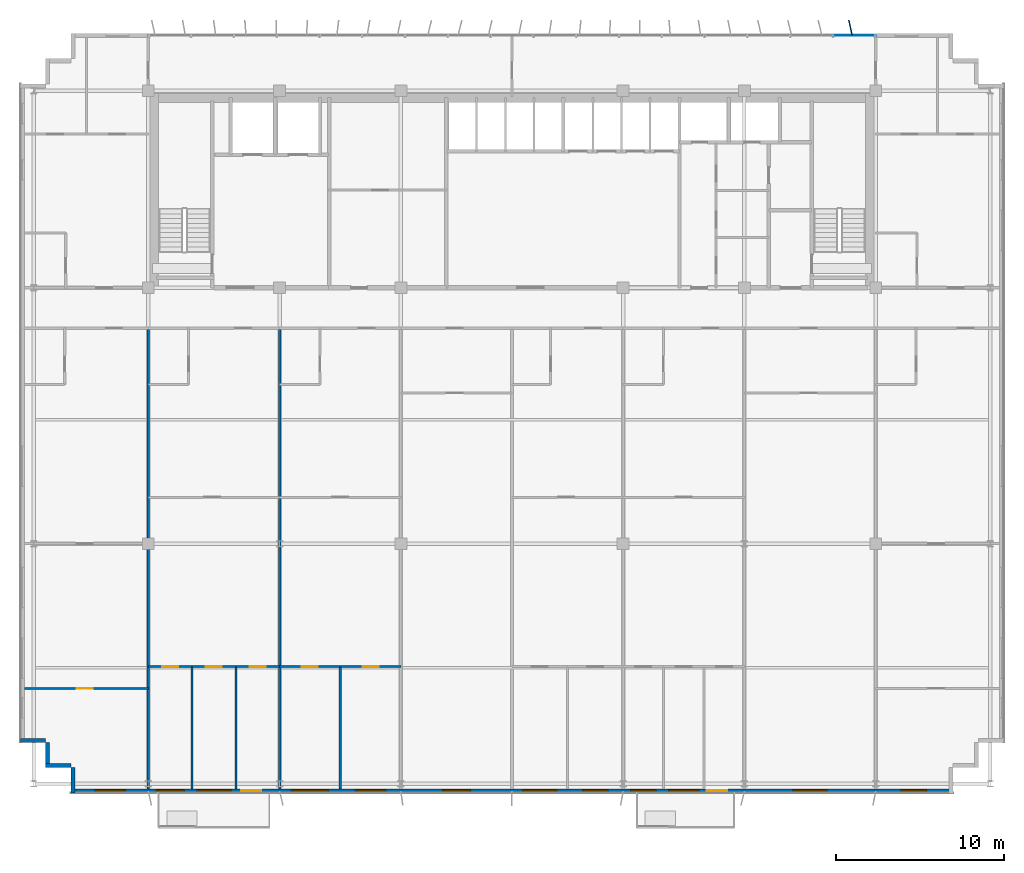
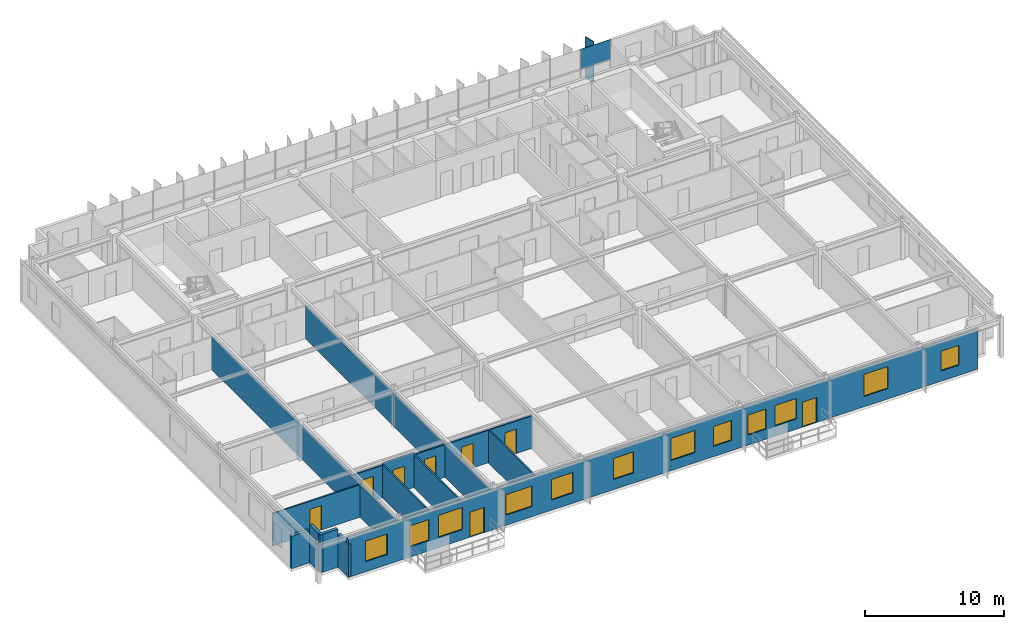
# One storey, part 16 of 23: 16 walls, 12 windows, 8 doors, 2 plates, 20 openings, 1 element without a shape of its own.
"""IFC4 building model written with IfcOpenShell, lengths in metres."""

import ifcopenshell
import ifcopenshell.guid

model = None  # the IFC model being written
_history = None  # IfcOwnerHistory: only IFC2X3 demands one
_inside = {}  # id of a spatial element -> (the spatial element, [elements in it])
_under = {}  # id of a project, library or spatial element -> (it, [spatial elements below it])
_declared = {}  # id of a project -> (the project, [libraries it declares])
_typed = {}  # id of a type object -> (the type object, [elements of that type])
_made_of = {}  # id of a material, layer set ... -> (it, [elements and type objects made of it])


def new_model(schema):
    """Start an empty IFC model of exactly this schema.

    Asked for "IFC4X3", IfcOpenShell would pick the latest addendum, in which some entities
    have other attributes; the version numbers below select the first issue.
    IFC2X3 requires an IfcOwnerHistory on every rooted entity: one is made here for all.
    """
    global model, _history
    if schema == "IFC4X3":
        model = ifcopenshell.file(schema_version=(4, 3, 0, 0))
    else:
        model = ifcopenshell.file(schema=schema)
    _inside.clear()
    _under.clear()
    _declared.clear()
    _typed.clear()
    _made_of.clear()
    _history = None
    if model.schema == "IFC2X3":
        org = make("IfcOrganization", Name="unknown")
        user = make(
            "IfcPersonAndOrganization",
            ThePerson=make("IfcPerson", FamilyName="unknown"),
            TheOrganization=org,
        )
        app = make(
            "IfcApplication",
            ApplicationDeveloper=org,
            Version="unknown",
            ApplicationFullName="unknown",
            ApplicationIdentifier="unknown",
        )
        _history = make(
            "IfcOwnerHistory",
            OwningUser=user,
            OwningApplication=app,
            ChangeAction="ADDED",
            CreationDate=0,
        )
    return model


def make(cls, **values):
    """One entity of the class cls with the attributes given. An attribute that is None is left unset."""
    return model.create_entity(
        cls, **{name: value for name, value in values.items() if value is not None}
    )


def rooted(cls, **values):
    """An entity with a GlobalId (a new one), such as an element, a storey or a relation."""
    return make(cls, GlobalId=ifcopenshell.guid.new(), OwnerHistory=_history, **values)


def si_unit(unit_type, name, prefix=None):
    """IfcSIUnit, for example si_unit("LENGTHUNIT", "METRE", prefix="MILLI")."""
    return make("IfcSIUnit", UnitType=unit_type, Prefix=prefix, Name=name)


def assignment(units):
    """IfcUnitAssignment: the units of a project."""
    return None if units is None else make("IfcUnitAssignment", Units=units)


def point(xyz):
    """IfcCartesianPoint."""
    return None if xyz is None else make("IfcCartesianPoint", Coordinates=xyz)


def direction(xyz):
    """IfcDirection."""
    return None if xyz is None else make("IfcDirection", DirectionRatios=xyz)


def frame(location, z_axis=None, x_axis=None):
    """IfcAxis2Placement3D, a coordinate frame: its origin and axes. An axis left out is left unset."""
    return make(
        "IfcAxis2Placement3D",
        Location=point(location),
        Axis=direction(z_axis),
        RefDirection=direction(x_axis),
    )


def frame_2d(location, x_axis=None):
    """IfcAxis2Placement2D, a coordinate frame in the plane: its origin and x axis."""
    return make(
        "IfcAxis2Placement2D", Location=point(location), RefDirection=direction(x_axis)
    )


def origin():
    """The frame at (0, 0, 0) with its axes left unset."""
    return frame((0.0, 0.0, 0.0))


def origin_2d():
    """The frame at (0, 0) in the plane with its x axis left unset."""
    return frame_2d((0.0, 0.0))


def place(relative_to, where):
    """IfcLocalPlacement: puts the frame where relative to a parent placement (None: the world)."""
    return make(
        "IfcLocalPlacement", PlacementRelTo=relative_to, RelativePlacement=where
    )


def context(
    kind, dimensions, precision=None, world=None, true_north=None, identifier=None
):
    """IfcGeometricRepresentationContext, for example the 3D "Model" context."""
    return make(
        "IfcGeometricRepresentationContext",
        ContextIdentifier=identifier,
        ContextType=kind,
        CoordinateSpaceDimension=dimensions,
        Precision=precision,
        WorldCoordinateSystem=world,
        TrueNorth=true_north,
    )


def subcontext(parent, identifier, kind, view, scale=None):
    """IfcGeometricRepresentationSubContext, for example "Body" below "Model"."""
    return make(
        "IfcGeometricRepresentationSubContext",
        ContextIdentifier=identifier,
        ContextType=kind,
        ParentContext=parent,
        TargetScale=scale,
        TargetView=view,
    )


def project(units=None, contexts=None):
    """IfcProject with its units and contexts."""
    return rooted(
        "IfcProject",
        Name="project",
        RepresentationContexts=contexts,
        UnitsInContext=assignment(units),
    )


def spatial(cls, under=None, at=None, **own):
    """A site, building, storey or space (cls), placed at a placement, below another one or the project."""
    s = rooted(cls, ObjectPlacement=at, **own)
    if under is not None:
        _under.setdefault(under.id(), (under, []))[1].append(s)
    return s


def profile(cls, at=None, kind="AREA", **sizes):
    """A parametric profile (cls). Its sizes go by their IFC names, for example OverallWidth=200.0."""
    return make(cls, ProfileType=kind, Position=at, **sizes)


def rectangle(**sizes):
    """IfcRectangleProfileDef."""
    return profile("IfcRectangleProfileDef", **sizes)


def extrude(swept, where, along, depth):
    """IfcExtrudedAreaSolid: the profile swept, set in the frame where, extruded along a direction by depth."""
    return make(
        "IfcExtrudedAreaSolid",
        SweptArea=swept,
        Position=where,
        ExtrudedDirection=direction(along),
        Depth=depth,
    )


def shape(context_of_items, identifier, shape_type, items):
    """IfcShapeRepresentation: the items that make up one representation, for example the "Body"."""
    return make(
        "IfcShapeRepresentation",
        ContextOfItems=context_of_items,
        RepresentationIdentifier=identifier,
        RepresentationType=shape_type,
        Items=items,
    )


def source(mapping_origin, context_of_items, identifier, shape_type, items):
    """IfcRepresentationMap: a shape defined once, which mapped items show again and again."""
    return make(
        "IfcRepresentationMap",
        MappingOrigin=mapping_origin,
        MappedRepresentation=shape(context_of_items, identifier, shape_type, items),
    )


def transform(
    local_origin,
    x_axis=None,
    y_axis=None,
    z_axis=None,
    scale=None,
    scale2=None,
    scale3=None,
    uniform=True,
):
    """IfcCartesianTransformationOperator3D, or its non-uniform kind. x_axis, y_axis, z_axis: its Axis1, 2, 3."""
    if uniform:
        return make(
            "IfcCartesianTransformationOperator3D",
            Axis1=direction(x_axis),
            Axis2=direction(y_axis),
            LocalOrigin=point(local_origin),
            Scale=scale,
            Axis3=direction(z_axis),
        )
    return make(
        "IfcCartesianTransformationOperator3DnonUniform",
        Axis1=direction(x_axis),
        Axis2=direction(y_axis),
        LocalOrigin=point(local_origin),
        Scale=scale,
        Axis3=direction(z_axis),
        Scale2=scale2,
        Scale3=scale3,
    )


def mapped(mapping_source, mapping_target):
    """IfcMappedItem: shows the shape of a source again, moved by a transform."""
    return make(
        "IfcMappedItem", MappingSource=mapping_source, MappingTarget=mapping_target
    )


def material(Name=None, Category=None):
    """IfcMaterial."""
    return make("IfcMaterial", Name=Name, Category=Category)


def layer(
    of_material, thickness, ventilated=None, Name=None, Category=None, Priority=None
):
    """IfcMaterialLayer: one layer of a wall or slab, of a material (None: an air gap)."""
    return make(
        "IfcMaterialLayer",
        Material=of_material,
        LayerThickness=thickness,
        IsVentilated=ventilated,
        Name=Name,
        Category=Category,
        Priority=Priority,
    )


def layer_set(layers, Name=None):
    """IfcMaterialLayerSet."""
    return make("IfcMaterialLayerSet", MaterialLayers=layers, LayerSetName=Name)


def made_of(thing, what):
    """Note that an element or type object is made of a material, layer set ...; save() writes the relation."""
    if what is not None:
        _made_of.setdefault(what.id(), (what, []))[1].append(thing)
    return thing


def type_object(cls, material=None, **own):
    """A type object (cls), such as IfcWallType, which elements share."""
    return made_of(rooted(cls, **own), material)


def element(
    cls,
    number,
    at=None,
    inside=None,
    cuts=None,
    type_object=None,
    material=None,
    context=None,
    identifier="Body",
    shape_type=None,
    held_by="IfcProductDefinitionShape",
    body=None,
    shapes=None,
    **own,
):
    """One element of the class cls, such as IfcWall. Its Tag is "e" and its number.

    at: its placement. inside: the storey or other place that contains it. cuts: it is an
    opening in that element (IfcRelVoidsElement). A single representation is given by context,
    identifier, shape_type and body (its items); several are given by shapes. held_by: the class
    of the entity that holds the representations. save() writes the other relations.
    """
    e = rooted(cls, Tag="e%d" % number, ObjectPlacement=at, **own)
    if body is not None:
        shapes = [shape(context, identifier, shape_type, body)]
    if shapes is not None:
        e.Representation = make(held_by, Representations=shapes)
    if inside is not None:
        _inside.setdefault(inside.id(), (inside, []))[1].append(e)
    if cuts is not None:
        rooted(
            "IfcRelVoidsElement", RelatingBuildingElement=cuts, RelatedOpeningElement=e
        )
    if type_object is not None:
        _typed.setdefault(type_object.id(), (type_object, []))[1].append(e)
    return made_of(e, material)


def fill(opening, filler):
    """IfcRelFillsElement: the door or window that sits in an opening."""
    return rooted(
        "IfcRelFillsElement",
        RelatingOpeningElement=opening,
        RelatedBuildingElement=filler,
    )


def aggregate(whole, parts):
    """IfcRelAggregates: a whole, such as a stair, and the parts it consists of."""
    return rooted("IfcRelAggregates", RelatingObject=whole, RelatedObjects=parts)


def save(model, path):
    """Write the relations noted so far, then the file.

    IfcRelAggregates (storeys below a building ...), IfcRelContainedInSpatialStructure (elements
    in a storey), IfcRelDefinesByType, IfcRelAssociatesMaterial and IfcRelDeclares: one each for
    every whole, place, type object, material and project.
    """
    for whole, parts in _under.values():
        aggregate(whole, parts)
    for where, things in _inside.values():
        rooted(
            "IfcRelContainedInSpatialStructure",
            RelatedElements=things,
            RelatingStructure=where,
        )
    for kind, things in _typed.values():
        rooted("IfcRelDefinesByType", RelatedObjects=things, RelatingType=kind)
    for what, things in _made_of.values():
        rooted("IfcRelAssociatesMaterial", RelatedObjects=things, RelatingMaterial=what)
    for by, libraries in _declared.values():
        rooted("IfcRelDeclares", RelatingContext=by, RelatedDefinitions=libraries)
    model.write(path)


model = new_model("IFC4")

# Units and contexts
model_context = context("Model", 3, precision=1e-05, world=origin(), true_north=direction((0.0, 1.0)))
body_context = subcontext(model_context, "Body", "Model", "MODEL_VIEW")
ifc_project = project(units=[si_unit("LENGTHUNIT", "METRE"), si_unit("AREAUNIT", "SQUARE_METRE"), si_unit("VOLUMEUNIT", "CUBIC_METRE"), si_unit("PLANEANGLEUNIT", "RADIAN"), si_unit("MASSUNIT", "GRAM", prefix="KILO")], contexts=[model_context])

# Site, building, storey
site_placement = place(None, origin())
site = spatial("IfcSite", under=ifc_project, at=site_placement, CompositionType="ELEMENT")
building_placement = place(site_placement, origin())
building = spatial("IfcBuilding", under=site, at=building_placement, Name="Trelvane Seafront Commons", CompositionType="ELEMENT")
storey_placement = place(building_placement, frame((0.0, 0.0, 219.300048828125)))
storey = spatial("IfcBuildingStorey", under=building, at=storey_placement, Name="L57", CompositionType="ELEMENT", Elevation=219.300048828125)

# Plate
ifc_material_1 = material(Name="Anodised pale-silver aluminium", Category="aluminium")
ifc_layer_1 = layer(ifc_material_1, 0.06005859375, Name="ARCH-PLATE-FIN900")
ifc_layer_set_1 = layer_set([ifc_layer_1], Name="Anodised pale-silver aluminium")
plate_type_1 = type_object("IfcPlateType", Name="ARCH-PLATE-FIN900", PredefinedType="USERDEFINED", material=ifc_layer_set_1)
shared_shape_1 = source(origin(), body_context, "Body", "SweptSolid", [
    extrude(rectangle(XDim=0.89990234375, YDim=0.06005859375, at=origin_2d()), origin(), (0.0, 0.0, 1.0), 3.639892578125),
])
plate_1_placement = place(storey_placement, frame((57.301513671875, 48.839111328125, -0.02001953125), z_axis=(0.0, 0.0, 1.0), x_axis=(-0.218776821513, 0.975774924032, 0.0)))
element("IfcPlate", 1, at=plate_1_placement, inside=storey, type_object=plate_type_1, Name="FIN-L57-01596", ObjectType="FIN", PredefinedType="USERDEFINED", context=body_context, shape_type="MappedRepresentation", body=[
    mapped(shared_shape_1, transform((0.0, 0.0, 0.0), x_axis=(1.0, 0.0, 0.0), y_axis=(0.0, 1.0, 0.0), z_axis=(0.0, 0.0, 1.0), scale=1.0)),
])

# Curtain wall, plate
curtain_wall_type = type_object("IfcCurtainWallType", Name="ARCH-CW5-UPTOWER", PredefinedType="NOTDEFINED", material=ifc_material_1)
curtain_wall_placement = place(storey_placement, origin())
curtain_wall = element("IfcCurtainWall", 2, at=curtain_wall_placement, inside=storey, type_object=curtain_wall_type, Name="CW-L57-0100", PredefinedType="NOTDEFINED")
ifc_material_2 = material(Name="Low-E coastal double glazing", Category="glass")
ifc_layer_2 = layer(ifc_material_2, 0.033935546875, Name="ARCH-CW-GLAZ-34")
ifc_layer_set_2 = layer_set([ifc_layer_2], Name="Low-E coastal double glazing")
plate_type_2 = type_object("IfcPlateType", Name="ARCH-CW-GLAZ-34", PredefinedType="CURTAIN_PANEL", material=ifc_layer_set_2)
shared_shape_2 = source(origin(), body_context, "Body", "SweptSolid", [
    extrude(rectangle(XDim=2.51708984375, YDim=0.033935546875, at=origin_2d()), origin(), (0.0, 0.0, 1.0), 1.72900390625),
])
plate_2_placement = place(storey_placement, frame((57.529296875, 48.3701171875, 1.630859375), z_axis=(0.0, 0.0, 1.0), x_axis=(1.0, 0.0, 0.0)))
plate_2 = element("IfcPlate", 3, at=plate_2_placement, type_object=plate_type_2, Name="CW-L57-0100-P16-2", PredefinedType="CURTAIN_PANEL", context=body_context, shape_type="MappedRepresentation", body=[
    mapped(shared_shape_2, transform((0.0, 0.0, 0.0), x_axis=(1.0, 0.0, 0.0), y_axis=(0.0, 1.0, 0.0), z_axis=(0.0, 0.0, 1.0), scale=1.0)),
])
aggregate(curtain_wall, [plate_2])

# Walls
ifc_material_3 = material(Name="Precast concrete C40/50", Category="concrete")
ifc_layer_3 = layer(ifc_material_3, 0.239990234375, Name="ARCH-WALL-EXT240")
ifc_layer_set_3 = layer_set([ifc_layer_3], Name="Precast concrete C40/50")
wall_type_1 = type_object("IfcWallType", Name="ARCH-WALL-EXT240", PredefinedType="SOLIDWALL", material=ifc_layer_set_3)
for number, where, z_axis, x_axis, name in (
    (4, (11.0, 5.02001953125, 0.0), (0.0, 0.0, 1.0), (-1.0, 0.0, 0.0), "EW-L57-01143"),
    (5, (9.6201171875, 4.89990234375, 0.0), (0.0, 0.0, 1.0), (0.0, 1.0, 0.0), "EW-L57-01144"),
):
    element("IfcWall", number, at=place(storey_placement, frame(where, z_axis=z_axis, x_axis=x_axis)), inside=storey, type_object=wall_type_1, Name=name, PredefinedType="SOLIDWALL", context=body_context, shape_type="SweptSolid", body=[
        extrude(rectangle(XDim=1.5, YDim=0.239990234375, at=frame_2d((0.75, 0.0))), origin(), (0.0, 0.0, 1.0), 3.35986328125),
    ])
wall_1_placement = place(storey_placement, frame((9.5, 6.52001953125, 0.0), z_axis=(0.0, 0.0, 1.0), x_axis=(-1.0, 0.0, 0.0)))
element("IfcWall", 6, at=wall_1_placement, inside=storey, type_object=wall_type_1, Name="EW-L57-01145", PredefinedType="SOLIDWALL", context=body_context, shape_type="SweptSolid", body=[
    extrude(rectangle(XDim=1.5, YDim=0.239990234375, at=frame_2d((0.75, 0.0))), origin(), (0.0, 0.0, 1.0), 2.85986328125),
])

# Wall, openings, doors, windows
wall_2_placement = place(storey_placement, frame((63.39990234375, 3.52001953125, 0.0), z_axis=(0.0, 0.0, 1.0), x_axis=(-1.0, 0.0, 0.0)))
wall_2 = element("IfcWall", 7, at=wall_2_placement, inside=storey, type_object=wall_type_1, Name="EW-L57-01160", PredefinedType="SOLIDWALL", context=body_context, shape_type="SweptSolid", body=[
    extrude(rectangle(XDim=52.39990234375, YDim=0.239990234375, at=frame_2d((26.199951171875, 0.0))), origin(), (0.0, 0.0, 1.0), 3.35986328125),
])
opening_1_placement = place(wall_2_placement, frame((1.594970703125, 0.0, 0.89990234375)))
opening_1 = element("IfcOpeningElement", 8, at=opening_1_placement, cuts=wall_2, Name="Opening W03", PredefinedType="OPENING", context=body_context, shape_type="SweptSolid", body=[
    extrude(rectangle(XDim=1.5, YDim=1.75, at=frame_2d((0.75, 0.875))), frame((0.0, 0.1298828125, 0.0), z_axis=(0.0, -1.0, 0.0), x_axis=(1.0, 0.0, 0.0)), (0.0, 0.0, 1.0), 0.260009765625),
])
opening_2_placement = place(wall_2_placement, frame((7.5, 0.0, 0.89990234375)))
opening_2 = element("IfcOpeningElement", 9, at=opening_2_placement, cuts=wall_2, Name="Opening W06", PredefinedType="OPENING", context=body_context, shape_type="SweptSolid", body=[
    extrude(rectangle(XDim=2.0, YDim=1.949951171875, at=frame_2d((1.0, 0.97509765625))), frame((0.0, 0.1298828125, 0.0), z_axis=(0.0, -1.0, 0.0), x_axis=(1.0, 0.0, 0.0)), (0.0, 0.0, 1.0), 0.260009765625),
])
opening_3_placement = place(wall_2_placement, frame((13.419921875, 0.0, 0.0)))
opening_3 = element("IfcOpeningElement", 10, at=opening_3_placement, cuts=wall_2, Name="Opening BD-L57-120", PredefinedType="OPENING", context=body_context, shape_type="SweptSolid", body=[
    extrude(rectangle(XDim=1.199951171875, YDim=2.199951171875, at=frame_2d((0.60009765625, 1.10009765625))), frame((0.0, 0.1298828125, 0.0), z_axis=(0.0, -1.0, 0.0), x_axis=(1.0, 0.0, 0.0)), (0.0, 0.0, 1.0), 0.260009765625),
])
opening_4_placement = place(wall_2_placement, frame((15.10009765625, 0.0, 0.89990234375)))
opening_4 = element("IfcOpeningElement", 11, at=opening_4_placement, cuts=wall_2, Name="Opening W01", PredefinedType="OPENING", context=body_context, shape_type="SweptSolid", body=[
    extrude(rectangle(XDim=1.800048828125, YDim=1.800048828125, at=frame_2d((0.89990234375, 0.89990234375))), frame((0.0, 0.1298828125, 0.0), z_axis=(0.0, -1.0, 0.0), x_axis=(1.0, 0.0, 0.0)), (0.0, 0.0, 1.0), 0.260009765625),
])
opening_5_placement = place(wall_2_placement, frame((17.64990234375, 0.0, 0.89990234375)))
opening_5 = element("IfcOpeningElement", 12, at=opening_5_placement, cuts=wall_2, Name="Opening W03", PredefinedType="OPENING", context=body_context, shape_type="SweptSolid", body=[
    extrude(rectangle(XDim=1.5, YDim=1.75, at=frame_2d((0.75, 0.875))), frame((0.0, 0.1298828125, 0.0), z_axis=(0.0, -1.0, 0.0), x_axis=(1.0, 0.0, 0.0)), (0.0, 0.0, 1.0), 0.260009765625),
])
opening_6_placement = place(wall_2_placement, frame((20.5, 0.0, 0.89990234375)))
opening_6 = element("IfcOpeningElement", 13, at=opening_6_placement, cuts=wall_2, Name="Opening W03", PredefinedType="OPENING", context=body_context, shape_type="SweptSolid", body=[
    extrude(rectangle(XDim=1.5, YDim=1.75, at=frame_2d((0.75, 0.875))), frame((0.0, 0.1298828125, 0.0), z_axis=(0.0, -1.0, 0.0), x_axis=(1.0, 0.0, 0.0)), (0.0, 0.0, 1.0), 0.260009765625),
])
opening_7_placement = place(wall_2_placement, frame((23.550048828125, 0.0, 0.89990234375)))
opening_7 = element("IfcOpeningElement", 14, at=opening_7_placement, cuts=wall_2, Name="Opening W06", PredefinedType="OPENING", context=body_context, shape_type="SweptSolid", body=[
    extrude(rectangle(XDim=2.0, YDim=1.949951171875, at=frame_2d((1.0, 0.97509765625))), frame((0.0, 0.1298828125, 0.0), z_axis=(0.0, -1.0, 0.0), x_axis=(1.0, 0.0, 0.0)), (0.0, 0.0, 1.0), 0.260009765625),
])
opening_8_placement = place(wall_2_placement, frame((28.675048828125, 0.0, 0.89990234375)))
opening_8 = element("IfcOpeningElement", 15, at=opening_8_placement, cuts=wall_2, Name="Opening W07", PredefinedType="OPENING", context=body_context, shape_type="SweptSolid", body=[
    extrude(rectangle(XDim=1.64990234375, YDim=1.85009765625, at=frame_2d((0.824951171875, 0.925048828125))), frame((0.0, 0.1298828125, 0.0), z_axis=(0.0, -1.0, 0.0), x_axis=(1.0, 0.0, 0.0)), (0.0, 0.0, 1.0), 0.260009765625),
])
opening_9_placement = place(wall_2_placement, frame((33.699951171875, 0.0, 0.89990234375)))
opening_9 = element("IfcOpeningElement", 16, at=opening_9_placement, cuts=wall_2, Name="Opening W01", PredefinedType="OPENING", context=body_context, shape_type="SweptSolid", body=[
    extrude(rectangle(XDim=1.800048828125, YDim=1.800048828125, at=frame_2d((0.89990234375, 0.89990234375))), frame((0.0, 0.1298828125, 0.0), z_axis=(0.0, -1.0, 0.0), x_axis=(1.0, 0.0, 0.0)), (0.0, 0.0, 1.0), 0.260009765625),
])
opening_10_placement = place(wall_2_placement, frame((37.10009765625, 0.0, 0.89990234375)))
opening_10 = element("IfcOpeningElement", 17, at=opening_10_placement, cuts=wall_2, Name="Opening W02", PredefinedType="OPENING", context=body_context, shape_type="SweptSolid", body=[
    extrude(rectangle(XDim=2.199951171875, YDim=1.800048828125, at=frame_2d((1.10009765625, 0.89990234375))), frame((0.0, 0.1298828125, 0.0), z_axis=(0.0, -1.0, 0.0), x_axis=(1.0, 0.0, 0.0)), (0.0, 0.0, 1.0), 0.260009765625),
])
opening_11_placement = place(wall_2_placement, frame((41.090087890625, 0.0, 0.0)))
opening_11 = element("IfcOpeningElement", 18, at=opening_11_placement, cuts=wall_2, Name="Opening BD-L57-121", PredefinedType="OPENING", context=body_context, shape_type="SweptSolid", body=[
    extrude(rectangle(XDim=1.199951171875, YDim=2.199951171875, at=frame_2d((0.60009765625, 1.10009765625))), frame((0.0, 0.1298828125, 0.0), z_axis=(0.0, -1.0, 0.0), x_axis=(1.0, 0.0, 0.0)), (0.0, 0.0, 1.0), 0.260009765625),
])
opening_12_placement = place(wall_2_placement, frame((42.89990234375, 0.0, 0.89990234375)))
opening_12 = element("IfcOpeningElement", 19, at=opening_12_placement, cuts=wall_2, Name="Opening W06", PredefinedType="OPENING", context=body_context, shape_type="SweptSolid", body=[
    extrude(rectangle(XDim=2.0, YDim=1.949951171875, at=frame_2d((1.0, 0.97509765625))), frame((0.0, 0.1298828125, 0.0), z_axis=(0.0, -1.0, 0.0), x_axis=(1.0, 0.0, 0.0)), (0.0, 0.0, 1.0), 0.260009765625),
])
opening_13_placement = place(wall_2_placement, frame((45.675048828125, 0.0, 0.89990234375)))
opening_13 = element("IfcOpeningElement", 20, at=opening_13_placement, cuts=wall_2, Name="Opening W07", PredefinedType="OPENING", context=body_context, shape_type="SweptSolid", body=[
    extrude(rectangle(XDim=1.64990234375, YDim=1.85009765625, at=frame_2d((0.824951171875, 0.925048828125))), frame((0.0, 0.1298828125, 0.0), z_axis=(0.0, -1.0, 0.0), x_axis=(1.0, 0.0, 0.0)), (0.0, 0.0, 1.0), 0.260009765625),
])
opening_14_placement = place(wall_2_placement, frame((49.155029296875, 0.0, 0.89990234375)))
opening_14 = element("IfcOpeningElement", 21, at=opening_14_placement, cuts=wall_2, Name="Opening W01", PredefinedType="OPENING", context=body_context, shape_type="SweptSolid", body=[
    extrude(rectangle(XDim=1.800048828125, YDim=1.800048828125, at=frame_2d((0.89990234375, 0.89990234375))), frame((0.0, 0.1298828125, 0.0), z_axis=(0.0, -1.0, 0.0), x_axis=(1.0, 0.0, 0.0)), (0.0, 0.0, 1.0), 0.260009765625),
])
ifc_material_4 = material(Name="Powder-coated aluminium frame", Category="aluminium")
door_type_1 = type_object("IfcDoorType", Name="ARCH-DR-BAL1200", OperationType="NOTDEFINED", PredefinedType="DOOR", material=ifc_material_4)
shared_shape_3 = source(origin(), body_context, "Body", "SweptSolid", [
    extrude(rectangle(XDim=1.199951171875, YDim=2.199951171875, at=frame_2d((0.60009765625, 1.10009765625))), frame((0.0, 0.02490234375, 0.0), z_axis=(0.0, -1.0, 0.0), x_axis=(1.0, 0.0, 0.0)), (0.0, 0.0, 1.0), 0.050048828125),
])
door_1_placement = place(opening_3_placement, origin())
door_1 = element("IfcDoor", 22, at=door_1_placement, inside=storey, type_object=door_type_1, Name="L57 Balcony Terrace Access Door", OperationType="SINGLE_SWING_LEFT", OverallHeight=2.199951171875, OverallWidth=1.199951171875, PredefinedType="DOOR", context=body_context, shape_type="MappedRepresentation", body=[
    mapped(shared_shape_3, transform((0.0, 0.0, 0.0), x_axis=(1.0, 0.0, 0.0), y_axis=(0.0, 1.0, 0.0), z_axis=(0.0, 0.0, 1.0), scale=1.0)),
])
fill(opening_3, door_1)
door_2_placement = place(opening_11_placement, origin())
door_2 = element("IfcDoor", 23, at=door_2_placement, inside=storey, type_object=door_type_1, Name="L57 Balcony Terrace Access Door", OperationType="SINGLE_SWING_LEFT", OverallHeight=2.199951171875, OverallWidth=1.199951171875, PredefinedType="DOOR", context=body_context, shape_type="MappedRepresentation", body=[
    mapped(shared_shape_3, transform((0.0, 0.0, 0.0), x_axis=(1.0, 0.0, 0.0), y_axis=(0.0, 1.0, 0.0), z_axis=(0.0, 0.0, 1.0), scale=1.0)),
])
fill(opening_11, door_2)
window_type_1 = type_object("IfcWindowType", Name="ARCH-WIN-W02", PartitioningType="SINGLE_PANEL", PredefinedType="WINDOW", material=ifc_material_2)
shared_shape_4 = source(origin(), body_context, "Body", "SweptSolid", [
    extrude(rectangle(XDim=2.199951171875, YDim=1.800048828125, at=frame_2d((1.10009765625, 0.89990234375))), frame((0.0, 0.030029296875, 0.0), z_axis=(0.0, -1.0, 0.0), x_axis=(1.0, 0.0, 0.0)), (0.0, 0.0, 1.0), 0.06005859375),
])
window_1_placement = place(opening_10_placement, origin())
window_1 = element("IfcWindow", 24, at=window_1_placement, inside=storey, type_object=window_type_1, Name="WIN-L57-01405", OverallHeight=1.800048828125, OverallWidth=2.199951171875, PartitioningType="SINGLE_PANEL", PredefinedType="WINDOW", context=body_context, shape_type="MappedRepresentation", body=[
    mapped(shared_shape_4, transform((0.0, 0.0, 0.0), x_axis=(1.0, 0.0, 0.0), y_axis=(0.0, 1.0, 0.0), z_axis=(0.0, 0.0, 1.0), scale=1.0)),
])
fill(opening_10, window_1)
window_type_2 = type_object("IfcWindowType", Name="ARCH-WIN-W03", PartitioningType="SINGLE_PANEL", PredefinedType="WINDOW", material=ifc_material_2)
shared_shape_5 = source(origin(), body_context, "Body", "SweptSolid", [
    extrude(rectangle(XDim=1.5, YDim=1.75, at=frame_2d((0.75, 0.875))), frame((0.0, 0.030029296875, 0.0), z_axis=(0.0, -1.0, 0.0), x_axis=(1.0, 0.0, 0.0)), (0.0, 0.0, 1.0), 0.06005859375),
])
window_2_placement = place(opening_1_placement, origin())
window_2 = element("IfcWindow", 25, at=window_2_placement, inside=storey, type_object=window_type_2, Name="WIN-L57-01397", OverallHeight=1.75, OverallWidth=1.5, PartitioningType="SINGLE_PANEL", PredefinedType="WINDOW", context=body_context, shape_type="MappedRepresentation", body=[
    mapped(shared_shape_5, transform((0.0, 0.0, 0.0), x_axis=(1.0, 0.0, 0.0), y_axis=(0.0, 1.0, 0.0), z_axis=(0.0, 0.0, 1.0), scale=1.0)),
])
fill(opening_1, window_2)
window_3_placement = place(opening_5_placement, origin())
window_3 = element("IfcWindow", 26, at=window_3_placement, inside=storey, type_object=window_type_2, Name="WIN-L57-01400", OverallHeight=1.75, OverallWidth=1.5, PartitioningType="SINGLE_PANEL", PredefinedType="WINDOW", context=body_context, shape_type="MappedRepresentation", body=[
    mapped(shared_shape_5, transform((0.0, 0.0, 0.0), x_axis=(1.0, 0.0, 0.0), y_axis=(0.0, 1.0, 0.0), z_axis=(0.0, 0.0, 1.0), scale=1.0)),
])
fill(opening_5, window_3)
window_4_placement = place(opening_6_placement, origin())
window_4 = element("IfcWindow", 27, at=window_4_placement, inside=storey, type_object=window_type_2, Name="WIN-L57-01401", OverallHeight=1.75, OverallWidth=1.5, PartitioningType="SINGLE_PANEL", PredefinedType="WINDOW", context=body_context, shape_type="MappedRepresentation", body=[
    mapped(shared_shape_5, transform((0.0, 0.0, 0.0), x_axis=(1.0, 0.0, 0.0), y_axis=(0.0, 1.0, 0.0), z_axis=(0.0, 0.0, 1.0), scale=1.0)),
])
fill(opening_6, window_4)
window_type_3 = type_object("IfcWindowType", Name="ARCH-WIN-W06", PartitioningType="SINGLE_PANEL", PredefinedType="WINDOW", material=ifc_material_2)
shared_shape_6 = source(origin(), body_context, "Body", "SweptSolid", [
    extrude(rectangle(XDim=2.0, YDim=1.949951171875, at=frame_2d((1.0, 0.97509765625))), frame((0.0, 0.030029296875, 0.0), z_axis=(0.0, -1.0, 0.0), x_axis=(1.0, 0.0, 0.0)), (0.0, 0.0, 1.0), 0.06005859375),
])
window_5_placement = place(opening_2_placement, origin())
window_5 = element("IfcWindow", 28, at=window_5_placement, inside=storey, type_object=window_type_3, Name="WIN-L57-01398", OverallHeight=1.949951171875, OverallWidth=2.0, PartitioningType="SINGLE_PANEL", PredefinedType="WINDOW", context=body_context, shape_type="MappedRepresentation", body=[
    mapped(shared_shape_6, transform((0.0, 0.0, 0.0), x_axis=(1.0, 0.0, 0.0), y_axis=(0.0, 1.0, 0.0), z_axis=(0.0, 0.0, 1.0), scale=1.0)),
])
fill(opening_2, window_5)
window_6_placement = place(opening_7_placement, origin())
window_6 = element("IfcWindow", 29, at=window_6_placement, inside=storey, type_object=window_type_3, Name="WIN-L57-01402", OverallHeight=1.949951171875, OverallWidth=2.0, PartitioningType="SINGLE_PANEL", PredefinedType="WINDOW", context=body_context, shape_type="MappedRepresentation", body=[
    mapped(shared_shape_6, transform((0.0, 0.0, 0.0), x_axis=(1.0, 0.0, 0.0), y_axis=(0.0, 1.0, 0.0), z_axis=(0.0, 0.0, 1.0), scale=1.0)),
])
fill(opening_7, window_6)
window_7_placement = place(opening_12_placement, origin())
window_7 = element("IfcWindow", 30, at=window_7_placement, inside=storey, type_object=window_type_3, Name="WIN-L57-01406", OverallHeight=1.949951171875, OverallWidth=2.0, PartitioningType="SINGLE_PANEL", PredefinedType="WINDOW", context=body_context, shape_type="MappedRepresentation", body=[
    mapped(shared_shape_6, transform((0.0, 0.0, 0.0), x_axis=(1.0, 0.0, 0.0), y_axis=(0.0, 1.0, 0.0), z_axis=(0.0, 0.0, 1.0), scale=1.0)),
])
fill(opening_12, window_7)
window_type_4 = type_object("IfcWindowType", Name="ARCH-WIN-W01", PartitioningType="SINGLE_PANEL", PredefinedType="WINDOW", material=ifc_material_2)
shared_shape_7 = source(origin(), body_context, "Body", "SweptSolid", [
    extrude(rectangle(XDim=1.800048828125, YDim=1.800048828125, at=frame_2d((0.89990234375, 0.89990234375))), frame((0.0, 0.030029296875, 0.0), z_axis=(0.0, -1.0, 0.0), x_axis=(1.0, 0.0, 0.0)), (0.0, 0.0, 1.0), 0.06005859375),
])
window_8_placement = place(opening_4_placement, origin())
window_8 = element("IfcWindow", 31, at=window_8_placement, inside=storey, type_object=window_type_4, Name="WIN-L57-01399", OverallHeight=1.800048828125, OverallWidth=1.800048828125, PartitioningType="SINGLE_PANEL", PredefinedType="WINDOW", context=body_context, shape_type="MappedRepresentation", body=[
    mapped(shared_shape_7, transform((0.0, 0.0, 0.0), x_axis=(1.0, 0.0, 0.0), y_axis=(0.0, 1.0, 0.0), z_axis=(0.0, 0.0, 1.0), scale=1.0)),
])
fill(opening_4, window_8)
window_9_placement = place(opening_9_placement, origin())
window_9 = element("IfcWindow", 32, at=window_9_placement, inside=storey, type_object=window_type_4, Name="WIN-L57-01404", OverallHeight=1.800048828125, OverallWidth=1.800048828125, PartitioningType="SINGLE_PANEL", PredefinedType="WINDOW", context=body_context, shape_type="MappedRepresentation", body=[
    mapped(shared_shape_7, transform((0.0, 0.0, 0.0), x_axis=(1.0, 0.0, 0.0), y_axis=(0.0, 1.0, 0.0), z_axis=(0.0, 0.0, 1.0), scale=1.0)),
])
fill(opening_9, window_9)
window_10_placement = place(opening_14_placement, origin())
window_10 = element("IfcWindow", 33, at=window_10_placement, inside=storey, type_object=window_type_4, Name="WIN-L57-01408", OverallHeight=1.800048828125, OverallWidth=1.800048828125, PartitioningType="SINGLE_PANEL", PredefinedType="WINDOW", context=body_context, shape_type="MappedRepresentation", body=[
    mapped(shared_shape_7, transform((0.0, 0.0, 0.0), x_axis=(1.0, 0.0, 0.0), y_axis=(0.0, 1.0, 0.0), z_axis=(0.0, 0.0, 1.0), scale=1.0)),
])
fill(opening_14, window_10)
window_type_5 = type_object("IfcWindowType", Name="ARCH-WIN-W07", PartitioningType="SINGLE_PANEL", PredefinedType="WINDOW", material=ifc_material_2)
shared_shape_8 = source(origin(), body_context, "Body", "SweptSolid", [
    extrude(rectangle(XDim=1.64990234375, YDim=1.85009765625, at=frame_2d((0.824951171875, 0.925048828125))), frame((0.0, 0.030029296875, 0.0), z_axis=(0.0, -1.0, 0.0), x_axis=(1.0, 0.0, 0.0)), (0.0, 0.0, 1.0), 0.06005859375),
])
window_11_placement = place(opening_8_placement, origin())
window_11 = element("IfcWindow", 34, at=window_11_placement, inside=storey, type_object=window_type_5, Name="WIN-L57-01403", OverallHeight=1.85009765625, OverallWidth=1.64990234375, PartitioningType="SINGLE_PANEL", PredefinedType="WINDOW", context=body_context, shape_type="MappedRepresentation", body=[
    mapped(shared_shape_8, transform((0.0, 0.0, 0.0), x_axis=(1.0, 0.0, 0.0), y_axis=(0.0, 1.0, 0.0), z_axis=(0.0, 0.0, 1.0), scale=1.0)),
])
fill(opening_8, window_11)
window_12_placement = place(opening_13_placement, origin())
window_12 = element("IfcWindow", 35, at=window_12_placement, inside=storey, type_object=window_type_5, Name="WIN-L57-01407", OverallHeight=1.85009765625, OverallWidth=1.64990234375, PartitioningType="SINGLE_PANEL", PredefinedType="WINDOW", context=body_context, shape_type="MappedRepresentation", body=[
    mapped(shared_shape_8, transform((0.0, 0.0, 0.0), x_axis=(1.0, 0.0, 0.0), y_axis=(0.0, 1.0, 0.0), z_axis=(0.0, 0.0, 1.0), scale=1.0)),
])
fill(opening_13, window_12)

# Wall
wall_3_placement = place(storey_placement, frame((11.1201171875, 3.39990234375, 0.0), z_axis=(0.0, 0.0, 1.0), x_axis=(0.0, 1.0, 0.0)))
element("IfcWall", 36, at=wall_3_placement, inside=storey, type_object=wall_type_1, Name="EW-L57-01161", PredefinedType="SOLIDWALL", context=body_context, shape_type="SweptSolid", body=[
    extrude(rectangle(XDim=1.5, YDim=0.239990234375, at=frame_2d((0.75, 0.0))), origin(), (0.0, 0.0, 1.0), 2.909912109375),
])

# Wall, opening, door
ifc_material_5 = material(Name="Gypsum Drywall Acoustic Partition")
ifc_layer_4 = layer(ifc_material_5, 0.1201171875, Name="ARCH-WALL-PART120")
ifc_layer_set_4 = layer_set([ifc_layer_4], Name="Gypsum Drywall Acoustic Partition")
wall_type_2 = type_object("IfcWallType", Name="ARCH-WALL-PART120", PredefinedType="PARTITIONING", material=ifc_layer_set_4)
wall_4_placement = place(storey_placement, frame((8.239990234375, 9.60009765625, 0.0), z_axis=(0.0, 0.0, 1.0), x_axis=(1.0, 0.0, 0.0)))
wall_4 = element("IfcWall", 37, at=wall_4_placement, inside=storey, type_object=wall_type_2, Name="W-L57-U1-YM-1-063", PredefinedType="PARTITIONING", context=body_context, shape_type="SweptSolid", body=[
    extrude(rectangle(XDim=7.360107421875, YDim=0.1201171875, at=frame_2d((3.68017578125, 0.0))), origin(), (0.0, 0.0, 1.0), 2.85986328125),
])
opening_15_placement = place(wall_4_placement, frame((3.114013671875, 0.0, 0.0)))
opening_15 = element("IfcOpeningElement", 38, at=opening_15_placement, cuts=wall_4, Name="Opening D-L57-35", PredefinedType="OPENING", context=body_context, shape_type="SweptSolid", body=[
    extrude(rectangle(XDim=0.949951171875, YDim=2.14990234375, at=frame_2d((0.47509765625, 1.074951171875))), frame((0.0, 0.070068359375, 0.0), z_axis=(0.0, -1.0, 0.0), x_axis=(1.0, 0.0, 0.0)), (0.0, 0.0, 1.0), 0.14013671875),
])
ifc_material_6 = material(Name="Acoustic timber door leaf", Category="wood")
door_type_2 = type_object("IfcDoorType", Name="ARCH-DR-INT950", OperationType="NOTDEFINED", PredefinedType="DOOR", material=ifc_material_6)
shared_shape_9 = source(origin(), body_context, "Body", "SweptSolid", [
    extrude(rectangle(XDim=0.949951171875, YDim=2.14990234375, at=frame_2d((0.47509765625, 1.074951171875))), frame((0.0, 0.02490234375, 0.0), z_axis=(0.0, -1.0, 0.0), x_axis=(1.0, 0.0, 0.0)), (0.0, 0.0, 1.0), 0.050048828125),
])
door_3_placement = place(opening_15_placement, origin())
door_3 = element("IfcDoor", 39, at=door_3_placement, inside=storey, type_object=door_type_2, Name="L57 Door 35", OperationType="SINGLE_SWING_LEFT", OverallHeight=2.14990234375, OverallWidth=0.949951171875, PredefinedType="DOOR", context=body_context, shape_type="MappedRepresentation", body=[
    mapped(shared_shape_9, transform((0.0, 0.0, 0.0), x_axis=(1.0, 0.0, 0.0), y_axis=(0.0, 1.0, 0.0), z_axis=(0.0, 0.0, 1.0), scale=1.0)),
])
fill(opening_15, door_3)

wall_5_placement = place(storey_placement, frame((15.60009765625, 10.89990234375, 0.0), z_axis=(0.0, 0.0, 1.0), x_axis=(1.0, 0.0, 0.0)))
wall_5 = element("IfcWall", 40, at=wall_5_placement, inside=storey, type_object=wall_type_2, Name="W-L57-U2-YM-1-068", PredefinedType="PARTITIONING", context=body_context, shape_type="SweptSolid", body=[
    extrude(rectangle(XDim=2.599853515625, YDim=0.1201171875, at=frame_2d((1.2998046875, 0.0))), origin(), (0.0, 0.0, 1.0), 2.85986328125),
])
opening_16_placement = place(wall_5_placement, frame((0.824951171875, 0.0, 0.0)))
opening_16 = element("IfcOpeningElement", 41, at=opening_16_placement, cuts=wall_5, Name="Opening D-L57-39", PredefinedType="OPENING", context=body_context, shape_type="SweptSolid", body=[
    extrude(rectangle(XDim=0.949951171875, YDim=2.14990234375, at=frame_2d((0.47509765625, 1.074951171875))), frame((0.0, 0.070068359375, 0.0), z_axis=(0.0, -1.0, 0.0), x_axis=(1.0, 0.0, 0.0)), (0.0, 0.0, 1.0), 0.14013671875),
])
door_4_placement = place(opening_16_placement, origin())
door_4 = element("IfcDoor", 42, at=door_4_placement, inside=storey, type_object=door_type_2, Name="L57 Door 39", OperationType="SINGLE_SWING_LEFT", OverallHeight=2.14990234375, OverallWidth=0.949951171875, PredefinedType="DOOR", context=body_context, shape_type="MappedRepresentation", body=[
    mapped(shared_shape_9, transform((0.0, 0.0, 0.0), x_axis=(1.0, 0.0, 0.0), y_axis=(0.0, 1.0, 0.0), z_axis=(0.0, 0.0, 1.0), scale=1.0)),
])
fill(opening_16, door_4)

wall_6_placement = place(storey_placement, frame((18.199951171875, 10.89990234375, 0.0), z_axis=(0.0, 0.0, 1.0), x_axis=(1.0, 0.0, 0.0)))
wall_6 = element("IfcWall", 43, at=wall_6_placement, inside=storey, type_object=wall_type_2, Name="W-L57-U2-YM-2-069", PredefinedType="PARTITIONING", context=body_context, shape_type="SweptSolid", body=[
    extrude(rectangle(XDim=2.60009765625, YDim=0.1201171875, at=frame_2d((1.300048828125, 0.0))), origin(), (0.0, 0.0, 1.0), 3.06005859375),
])
opening_17_placement = place(wall_6_placement, frame((0.824951171875, 0.0, 0.0)))
opening_17 = element("IfcOpeningElement", 44, at=opening_17_placement, cuts=wall_6, Name="Opening D-L57-40", PredefinedType="OPENING", context=body_context, shape_type="SweptSolid", body=[
    extrude(rectangle(XDim=0.949951171875, YDim=2.14990234375, at=frame_2d((0.47509765625, 1.074951171875))), frame((0.0, 0.070068359375, 0.0), z_axis=(0.0, -1.0, 0.0), x_axis=(1.0, 0.0, 0.0)), (0.0, 0.0, 1.0), 0.14013671875),
])
door_5_placement = place(opening_17_placement, origin())
door_5 = element("IfcDoor", 45, at=door_5_placement, inside=storey, type_object=door_type_2, Name="L57 Door 40", OperationType="SINGLE_SWING_RIGHT", OverallHeight=2.14990234375, OverallWidth=0.949951171875, PredefinedType="DOOR", context=body_context, shape_type="MappedRepresentation", body=[
    mapped(shared_shape_9, transform((0.0, 0.0, 0.0), x_axis=(1.0, 0.0, 0.0), y_axis=(0.0, 1.0, 0.0), z_axis=(0.0, 0.0, 1.0), scale=1.0)),
])
fill(opening_17, door_5)

# Wall
wall_7_placement = place(storey_placement, frame((18.199951171875, 3.625, 0.0), z_axis=(0.0, 0.0, 1.0), x_axis=(0.0, 1.0, 0.0)))
element("IfcWall", 46, at=wall_7_placement, inside=storey, type_object=wall_type_2, Name="W-L57-U2-BDV-1-070", PredefinedType="PARTITIONING", context=body_context, shape_type="SweptSolid", body=[
    extrude(rectangle(XDim=7.27490234375, YDim=0.1201171875, at=frame_2d((3.637451171875, 0.0))), origin(), (0.0, 0.0, 1.0), 2.909912109375),
])

# Wall, opening, door
wall_8_placement = place(storey_placement, frame((20.800048828125, 10.89990234375, 0.0), z_axis=(0.0, 0.0, 1.0), x_axis=(1.0, 0.0, 0.0)))
wall_8 = element("IfcWall", 47, at=wall_8_placement, inside=storey, type_object=wall_type_2, Name="W-L57-U2-YM-3-071", PredefinedType="PARTITIONING", context=body_context, shape_type="SweptSolid", body=[
    extrude(rectangle(XDim=2.599853515625, YDim=0.1201171875, at=frame_2d((1.2998046875, 0.0))), origin(), (0.0, 0.0, 1.0), 2.85986328125),
])
opening_18_placement = place(wall_8_placement, frame((0.824951171875, 0.0, 0.0)))
opening_18 = element("IfcOpeningElement", 48, at=opening_18_placement, cuts=wall_8, Name="Opening D-L57-41", PredefinedType="OPENING", context=body_context, shape_type="SweptSolid", body=[
    extrude(rectangle(XDim=0.949951171875, YDim=2.14990234375, at=frame_2d((0.47509765625, 1.074951171875))), frame((0.0, 0.070068359375, 0.0), z_axis=(0.0, -1.0, 0.0), x_axis=(1.0, 0.0, 0.0)), (0.0, 0.0, 1.0), 0.14013671875),
])
door_6_placement = place(opening_18_placement, origin())
door_6 = element("IfcDoor", 49, at=door_6_placement, inside=storey, type_object=door_type_2, Name="L57 Door 41", OperationType="SINGLE_SWING_LEFT", OverallHeight=2.14990234375, OverallWidth=0.949951171875, PredefinedType="DOOR", context=body_context, shape_type="MappedRepresentation", body=[
    mapped(shared_shape_9, transform((0.0, 0.0, 0.0), x_axis=(1.0, 0.0, 0.0), y_axis=(0.0, 1.0, 0.0), z_axis=(0.0, 0.0, 1.0), scale=1.0)),
])
fill(opening_18, door_6)

# Wall
wall_9_placement = place(storey_placement, frame((20.800048828125, 3.625, 0.0), z_axis=(0.0, 0.0, 1.0), x_axis=(0.0, 1.0, 0.0)))
element("IfcWall", 50, at=wall_9_placement, inside=storey, type_object=wall_type_2, Name="W-L57-U2-BDV-2-072", PredefinedType="PARTITIONING", context=body_context, shape_type="SweptSolid", body=[
    extrude(rectangle(XDim=7.27490234375, YDim=0.1201171875, at=frame_2d((3.637451171875, 0.0))), origin(), (0.0, 0.0, 1.0), 2.909912109375),
])

# Wall, opening, door
wall_10_placement = place(storey_placement, frame((23.39990234375, 10.89990234375, 0.0), z_axis=(0.0, 0.0, 1.0), x_axis=(1.0, 0.0, 0.0)))
wall_10 = element("IfcWall", 51, at=wall_10_placement, inside=storey, type_object=wall_type_2, Name="W-L57-U3-YM-1-077", PredefinedType="PARTITIONING", context=body_context, shape_type="SweptSolid", body=[
    extrude(rectangle(XDim=3.60009765625, YDim=0.1201171875, at=frame_2d((1.800048828125, 0.0))), origin(), (0.0, 0.0, 1.0), 2.85986328125),
])
opening_19_placement = place(wall_10_placement, frame((1.324951171875, 0.0, 0.0)))
opening_19 = element("IfcOpeningElement", 52, at=opening_19_placement, cuts=wall_10, Name="Opening D-L57-45", PredefinedType="OPENING", context=body_context, shape_type="SweptSolid", body=[
    extrude(rectangle(XDim=0.949951171875, YDim=2.14990234375, at=frame_2d((0.47509765625, 1.074951171875))), frame((0.0, 0.070068359375, 0.0), z_axis=(0.0, -1.0, 0.0), x_axis=(1.0, 0.0, 0.0)), (0.0, 0.0, 1.0), 0.14013671875),
])
door_7_placement = place(opening_19_placement, origin())
door_7 = element("IfcDoor", 53, at=door_7_placement, inside=storey, type_object=door_type_2, Name="L57 Door 45", OperationType="SINGLE_SWING_LEFT", OverallHeight=2.14990234375, OverallWidth=0.949951171875, PredefinedType="DOOR", context=body_context, shape_type="MappedRepresentation", body=[
    mapped(shared_shape_9, transform((0.0, 0.0, 0.0), x_axis=(1.0, 0.0, 0.0), y_axis=(0.0, 1.0, 0.0), z_axis=(0.0, 0.0, 1.0), scale=1.0)),
])
fill(opening_19, door_7)

wall_11_placement = place(storey_placement, frame((27.0, 10.89990234375, 0.0), z_axis=(0.0, 0.0, 1.0), x_axis=(1.0, 0.0, 0.0)))
wall_11 = element("IfcWall", 54, at=wall_11_placement, inside=storey, type_object=wall_type_2, Name="W-L57-U3-YM-2-078", PredefinedType="PARTITIONING", context=body_context, shape_type="SweptSolid", body=[
    extrude(rectangle(XDim=3.60009765625, YDim=0.1201171875, at=frame_2d((1.800048828125, 0.0))), origin(), (0.0, 0.0, 1.0), 2.85986328125),
])
opening_20_placement = place(wall_11_placement, frame((1.324951171875, 0.0, 0.0)))
opening_20 = element("IfcOpeningElement", 55, at=opening_20_placement, cuts=wall_11, Name="Opening D-L57-46", PredefinedType="OPENING", context=body_context, shape_type="SweptSolid", body=[
    extrude(rectangle(XDim=0.949951171875, YDim=2.14990234375, at=frame_2d((0.47509765625, 1.074951171875))), frame((0.0, 0.070068359375, 0.0), z_axis=(0.0, -1.0, 0.0), x_axis=(1.0, 0.0, 0.0)), (0.0, 0.0, 1.0), 0.14013671875),
])
door_8_placement = place(opening_20_placement, origin())
door_8 = element("IfcDoor", 56, at=door_8_placement, inside=storey, type_object=door_type_2, Name="L57 Door 46", OperationType="SINGLE_SWING_RIGHT", OverallHeight=2.14990234375, OverallWidth=0.949951171875, PredefinedType="DOOR", context=body_context, shape_type="MappedRepresentation", body=[
    mapped(shared_shape_9, transform((0.0, 0.0, 0.0), x_axis=(1.0, 0.0, 0.0), y_axis=(0.0, 1.0, 0.0), z_axis=(0.0, 0.0, 1.0), scale=1.0)),
])
fill(opening_20, door_8)

# Walls
wall_12_placement = place(storey_placement, frame((27.0, 3.625, 0.0), z_axis=(0.0, 0.0, 1.0), x_axis=(0.0, 1.0, 0.0)))
element("IfcWall", 57, at=wall_12_placement, inside=storey, type_object=wall_type_2, Name="W-L57-U3-BDV-1-079", PredefinedType="PARTITIONING", context=body_context, shape_type="SweptSolid", body=[
    extrude(rectangle(XDim=7.27490234375, YDim=0.1201171875, at=frame_2d((3.637451171875, 0.0))), origin(), (0.0, 0.0, 1.0), 2.909912109375),
])
ifc_layer_5 = layer(ifc_material_5, 0.14990234375, Name="ARCH-WALL-PART150")
ifc_layer_set_5 = layer_set([ifc_layer_5], Name="Gypsum Drywall Acoustic Partition")
wall_type_3 = type_object("IfcWallType", Name="ARCH-WALL-PART150", PredefinedType="PARTITIONING", material=ifc_layer_set_5)
for number, where, z_axis, x_axis, name in (
    (58, (15.60009765625, 3.625, 0.0), (0.0, 0.0, 1.0), (0.0, 1.0, 0.0), "W-L57-PW-1-052"),
    (59, (23.39990234375, 3.625, 0.0), (0.0, 0.0, 1.0), (0.0, 1.0, 0.0), "W-L57-PW-2-053"),
):
    element("IfcWall", number, at=place(storey_placement, frame(where, z_axis=z_axis, x_axis=x_axis)), inside=storey, type_object=wall_type_3, Name=name, PredefinedType="PARTITIONING", context=body_context, shape_type="SweptSolid", body=[
        extrude(rectangle(XDim=27.375, YDim=0.14990234375, at=frame_2d((13.6875, 0.0))), origin(), (0.0, 0.0, 1.0), 2.85986328125),
    ])

save(model, "model.ifc")
